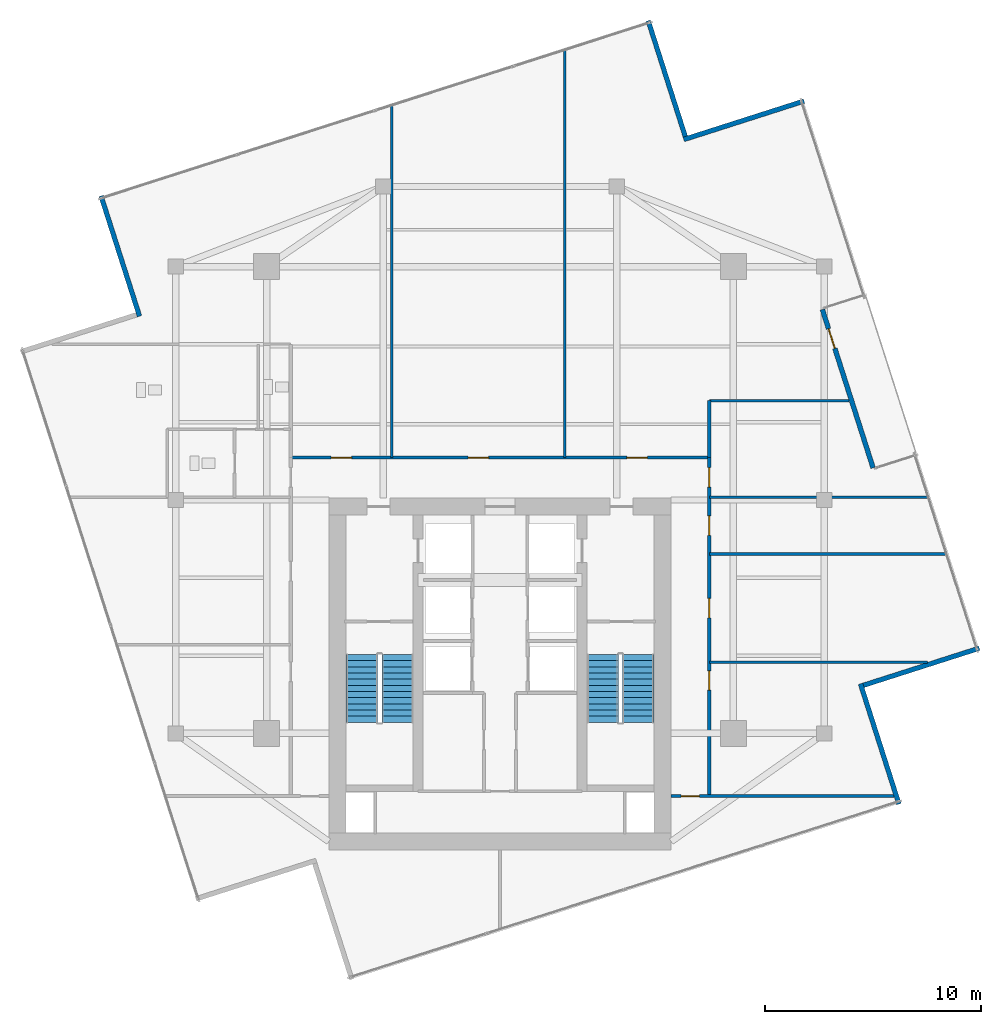
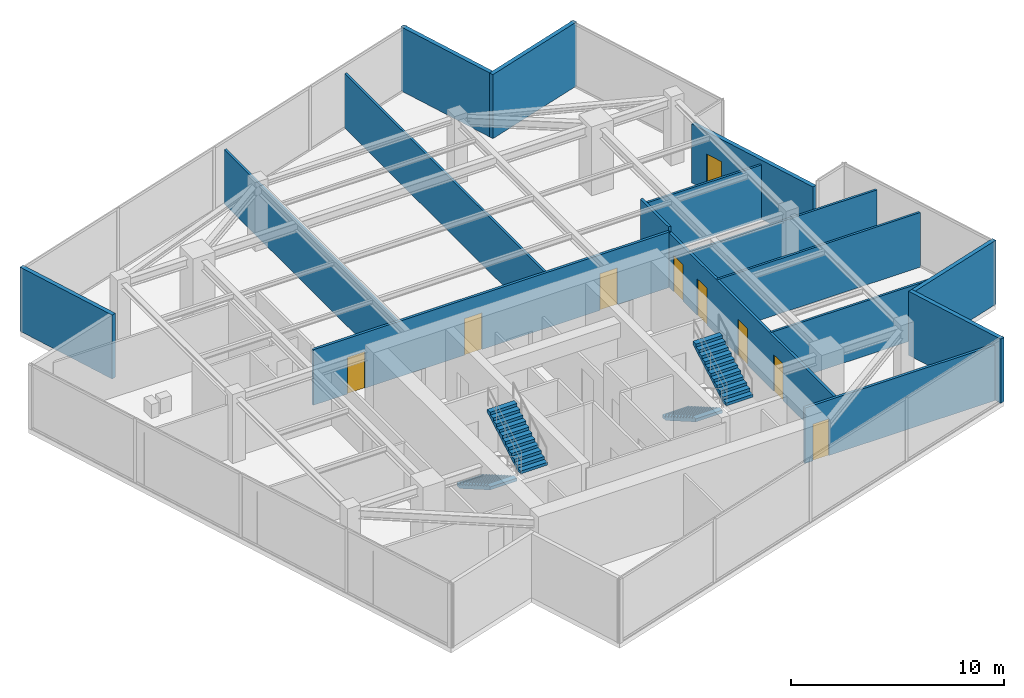
# One storey, part 19 of 21: 16 walls, 9 doors, 4 stair flights, 9 openings, 2 elements without a shape of their own.
"""IFC4 building model written with IfcOpenShell, lengths in metres."""

from ifc_helpers import new_model, si_unit, direction, frame, frame_2d, origin, place, context, subcontext, project, spatial, polyline, rectangle, outline, extrude, material, layer, layer_set, type_object, element, fill, aggregate, save


model = new_model("IFC4")

# Units and contexts
model_context = context("Model", 3, precision=1e-05, world=origin(), true_north=direction((0.0, 1.0)))
body_context = subcontext(model_context, "Body", "Model", "MODEL_VIEW")
ifc_project = project(units=[si_unit("LENGTHUNIT", "METRE"), si_unit("AREAUNIT", "SQUARE_METRE"), si_unit("VOLUMEUNIT", "CUBIC_METRE"), si_unit("PLANEANGLEUNIT", "RADIAN"), si_unit("MASSUNIT", "GRAM", prefix="KILO")], contexts=[model_context])

# Site, building, storey
site_placement = place(None, origin())
site = spatial("IfcSite", under=ifc_project, at=site_placement, CompositionType="ELEMENT")
building_placement = place(site_placement, origin())
building = spatial("IfcBuilding", under=site, at=building_placement, Name="Krantzveldt Concourse Tower", CompositionType="ELEMENT")
storey_placement = place(building_placement, frame((0.0, 0.0, 343.5)))
storey = spatial("IfcBuildingStorey", under=building, at=storey_placement, Name="L84", CompositionType="ELEMENT", Elevation=343.5)

# Walls
ifc_material_1 = material(Name="Anodised aluminium 6063-T6", Category="aluminium")
ifc_layer_1 = layer(ifc_material_1, 0.219970703125, Name="Anodised aluminium 6063-T6", Category="aluminium")
ifc_layer_set_1 = layer_set([ifc_layer_1], Name="Anodised aluminium 6063-T6 (WL-EXT-NOTCH220)")
wall_type_1 = type_object("IfcWallType", Name="WL-EXT-NOTCH220", PredefinedType="ELEMENTEDWALL", material=ifc_layer_set_1)
wall_1_placement = place(storey_placement, frame((44.572265625, 43.513671875, 0.0), z_axis=(0.0, 0.0, 1.0), x_axis=(-0.304903286447, 0.952383318792, 0.0)))
element("IfcWall", 1, at=wall_1_placement, inside=storey, type_object=wall_type_1, Name="EW-L84-NCH00", PredefinedType="ELEMENTEDWALL", context=body_context, shape_type="SweptSolid", body=[
    extrude(rectangle(XDim=5.625, YDim=0.219970703125, at=frame_2d((2.8125, 0.0))), origin(), (0.0, 0.0, 1.0), 3.669921875),
])
for number, where, z_axis, x_axis, name in (
    (2, (17.542724609375, 40.767578125, 0.0), (0.0, 0.0, 1.0), (0.304839382122, -0.952403775248, 0.0), "EW-L84-NCH02"),
    (3, (54.457275390625, 12.63232421875, 0.0), (0.0, 0.0, 1.0), (-0.304839382122, 0.952403775248, 0.0), "EW-L84-NCH08"),
):
    element("IfcWall", number, at=place(storey_placement, frame(where, z_axis=z_axis, x_axis=x_axis)), inside=storey, type_object=wall_type_1, Name=name, PredefinedType="ELEMENTEDWALL", context=body_context, shape_type="SweptSolid", body=[
        extrude(rectangle(XDim=5.8447265625, YDim=0.219970703125, at=frame_2d((2.92236328125, 0.0))), origin(), (0.0, 0.0, 1.0), 3.669921875),
    ])
wall_2_placement = place(storey_placement, frame((52.813720703125, 18.1279296875, 0.0), z_axis=(0.0, 0.0, 1.0), x_axis=(0.952395921602, 0.30486391803, 0.0)))
element("IfcWall", 4, at=wall_2_placement, inside=storey, type_object=wall_type_1, Name="EW-L84-NCH09", PredefinedType="ELEMENTEDWALL", context=body_context, shape_type="SweptSolid", body=[
    extrude(rectangle(XDim=5.625, YDim=0.219970703125, at=frame_2d((2.8125, 0.0))), origin(), (0.0, 0.0, 1.0), 3.669921875),
])

# Wall, opening, door
wall_3_placement = place(storey_placement, frame((50.913818359375, 35.51123046875, 0.0), z_axis=(0.0, 0.0, 1.0), x_axis=(0.304842539612, -0.952402764613, 0.0)))
wall_3 = element("IfcWall", 5, at=wall_3_placement, inside=storey, type_object=wall_type_1, Name="EW-L84-TSLOT", PredefinedType="ELEMENTEDWALL", context=body_context, shape_type="SweptSolid", body=[
    extrude(rectangle(XDim=7.68994140625, YDim=0.219970703125, at=frame_2d((3.844970703125, 0.0))), origin(), (0.0, 0.0, 1.0), 3.3798828125),
])
opening_1_placement = place(wall_3_placement, frame((0.936767578125, 0.0, 0.0)))
opening_1 = element("IfcOpeningElement", 6, at=opening_1_placement, cuts=wall_3, Name="Opening D-EX95", PredefinedType="OPENING", context=body_context, shape_type="SweptSolid", body=[
    extrude(rectangle(XDim=0.949951171875, YDim=2.10009765625, at=frame_2d((0.47509765625, 1.050048828125))), frame((0.0, 0.1201171875, 0.0), z_axis=(0.0, -1.0, 0.0), x_axis=(1.0, 0.0, 0.0)), (0.0, 0.0, 1.0), 0.239990234375),
])
door_type_1 = type_object("IfcDoorType", Name="DR-EXT-950", OperationType="SINGLE_SWING_LEFT", PredefinedType="DOOR", material=ifc_material_1)
door_1_placement = place(opening_1_placement, origin())
door_1 = element("IfcDoor", 7, at=door_1_placement, inside=storey, type_object=door_type_1, Name="DR-L84-TERR", OperationType="SINGLE_SWING_LEFT", OverallHeight=2.10009765625, OverallWidth=0.949951171875, PredefinedType="DOOR", context=body_context, shape_type="SweptSolid", body=[
    extrude(rectangle(XDim=0.949951171875, YDim=2.10009765625, at=frame_2d((0.47509765625, 1.050048828125))), frame((0.0, 0.02490234375, 0.0), z_axis=(0.0, -1.0, 0.0), x_axis=(1.0, 0.0, 0.0)), (0.0, 0.0, 1.0), 0.050048828125),
])
fill(opening_1, door_1)

# Walls
wall_4_placement = place(storey_placement, frame((50.067626953125, 45.157470703125, 0.0), z_axis=(0.0, 0.0, 1.0), x_axis=(-0.952391647481, -0.304877270074, 0.0)))
element("IfcWall", 8, at=wall_4_placement, inside=storey, type_object=wall_type_1, Name="EW-L84-NCH15", PredefinedType="ELEMENTEDWALL", context=body_context, shape_type="SweptSolid", body=[
    extrude(rectangle(XDim=5.844970703125, YDim=0.219970703125, at=frame_2d((2.92236328125, 0.0))), origin(), (0.0, 0.0, 1.0), 3.669921875),
])
ifc_material_2 = material(Name="Fire-rated gypsum plasterboard on steel stud", Category="steel")
ifc_layer_2 = layer(ifc_material_2, 0.1201171875, Name="Fire-rated gypsum plasterboard on steel stud", Category="steel")
ifc_layer_set_2 = layer_set([ifc_layer_2], Name="Fire-rated gypsum plasterboard on steel stud (WL-PART-120)")
wall_type_2 = type_object("IfcWallType", Name="WL-PART-120", PredefinedType="PARTITIONING", material=ifc_layer_set_2)
wall_5_placement = place(storey_placement, frame((45.679931640625, 26.820068359375, 0.0), z_axis=(0.0, 0.0, 1.0), x_axis=(1.0, 0.0, 0.0)))
element("IfcWall", 9, at=wall_5_placement, inside=storey, type_object=wall_type_2, Name="WP-L84-PNTS", PredefinedType="PARTITIONING", context=body_context, shape_type="SweptSolid", body=[
    extrude(rectangle(XDim=10.136962890625, YDim=0.1201171875, at=frame_2d((5.068359375, 0.0))), origin(), (0.0, 0.0, 1.0), 3.1298828125),
])
wall_6_placement = place(storey_placement, frame((45.679931640625, 31.300048828125, 0.0), z_axis=(0.0, 0.0, 1.0), x_axis=(1.0, 0.0, 0.0)))
element("IfcWall", 10, at=wall_6_placement, inside=storey, type_object=wall_type_2, Name="WP-L84-PNTN", PredefinedType="PARTITIONING", context=body_context, shape_type="SweptSolid", body=[
    extrude(rectangle(XDim=6.461181640625, YDim=0.1201171875, at=frame_2d((3.23046875, 0.0))), origin(), (0.0, 0.0, 1.0), 3.1298828125),
])
wall_7_placement = place(storey_placement, frame((31.0, 28.659912109375, 0.0), z_axis=(0.0, 0.0, 1.0), x_axis=(0.0, 1.0, 0.0)))
element("IfcWall", 11, at=wall_7_placement, inside=storey, type_object=wall_type_2, Name="WP-L84-ND1", PredefinedType="PARTITIONING", context=body_context, shape_type="SweptSolid", body=[
    extrude(rectangle(XDim=16.294677734375, YDim=0.1201171875, at=frame_2d((8.1474609375, 0.0))), origin(), (0.0, 0.0, 1.0), 3.1298828125),
])
wall_8_placement = place(storey_placement, frame((39.0, 28.659912109375, 0.0), z_axis=(0.0, 0.0, 1.0), x_axis=(0.0, 1.0, 0.0)))
element("IfcWall", 12, at=wall_8_placement, inside=storey, type_object=wall_type_2, Name="WP-L84-ND2", PredefinedType="PARTITIONING", context=body_context, shape_type="SweptSolid", body=[
    extrude(rectangle(XDim=18.85546875, YDim=0.1201171875, at=frame_2d((9.427734375, 0.0))), origin(), (0.0, 0.0, 1.0), 3.1298828125),
])
wall_9_placement = place(storey_placement, frame((45.679931640625, 19.199951171875, 0.0), z_axis=(0.0, 0.0, 1.0), x_axis=(1.0, 0.0, 0.0)))
element("IfcWall", 13, at=wall_9_placement, inside=storey, type_object=wall_type_2, Name="WP-L84-ED1", PredefinedType="PARTITIONING", context=body_context, shape_type="SweptSolid", body=[
    extrude(rectangle(XDim=10.10595703125, YDim=0.1201171875, at=frame_2d((5.052978515625, 0.0))), origin(), (0.0, 0.0, 1.0), 3.1298828125),
])
wall_10_placement = place(storey_placement, frame((45.679931640625, 24.199951171875, 0.0), z_axis=(0.0, 0.0, 1.0), x_axis=(1.0, 0.0, 0.0)))
element("IfcWall", 14, at=wall_10_placement, inside=storey, type_object=wall_type_2, Name="WP-L84-ED2", PredefinedType="PARTITIONING", context=body_context, shape_type="SweptSolid", body=[
    extrude(rectangle(XDim=10.9755859375, YDim=0.1201171875, at=frame_2d((5.48779296875, 0.0))), origin(), (0.0, 0.0, 1.0), 3.1298828125),
])

# Wall, openings, doors
ifc_layer_3 = layer(ifc_material_2, 0.139892578125, Name="Fire-rated gypsum plasterboard on steel stud", Category="steel")
ifc_layer_set_3 = layer_set([ifc_layer_3], Name="Fire-rated gypsum plasterboard on steel stud (WL-PART-140)")
wall_type_3 = type_object("IfcWallType", Name="WL-PART-140", PredefinedType="PARTITIONING", material=ifc_layer_set_3)
wall_11_placement = place(storey_placement, frame((26.320068359375, 28.659912109375, 0.0), z_axis=(0.0, 0.0, 1.0), x_axis=(1.0, 0.0, 0.0)))
wall_11 = element("IfcWall", 15, at=wall_11_placement, inside=storey, type_object=wall_type_3, Name="WP-L84-CNHDR", PredefinedType="PARTITIONING", context=body_context, shape_type="SweptSolid", body=[
    extrude(rectangle(XDim=19.35986328125, YDim=0.139892578125, at=frame_2d((9.679931640625, 0.0))), origin(), (0.0, 0.0, 1.0), 3.179931640625),
])
opening_2_placement = place(wall_11_placement, frame((1.864990234375, 0.0, 0.0)))
opening_2 = element("IfcOpeningElement", 16, at=opening_2_placement, cuts=wall_11, Name="Opening D-IN095", PredefinedType="OPENING", context=body_context, shape_type="SweptSolid", body=[
    extrude(rectangle(XDim=0.949951171875, YDim=2.10009765625, at=frame_2d((0.47509765625, 1.050048828125))), frame((0.0, 0.080078125, 0.0), z_axis=(0.0, -1.0, 0.0), x_axis=(1.0, 0.0, 0.0)), (0.0, 0.0, 1.0), 0.159912109375),
])
opening_3_placement = place(wall_11_placement, frame((8.205078125, 0.0, 0.0)))
opening_3 = element("IfcOpeningElement", 17, at=opening_3_placement, cuts=wall_11, Name="Opening D-IN095", PredefinedType="OPENING", context=body_context, shape_type="SweptSolid", body=[
    extrude(rectangle(XDim=0.949951171875, YDim=2.10009765625, at=frame_2d((0.47509765625, 1.050048828125))), frame((0.0, 0.080078125, 0.0), z_axis=(0.0, -1.0, 0.0), x_axis=(1.0, 0.0, 0.0)), (0.0, 0.0, 1.0), 0.159912109375),
])
opening_4_placement = place(wall_11_placement, frame((15.544921875, 0.0, 0.0)))
opening_4 = element("IfcOpeningElement", 18, at=opening_4_placement, cuts=wall_11, Name="Opening D-IN095", PredefinedType="OPENING", context=body_context, shape_type="SweptSolid", body=[
    extrude(rectangle(XDim=0.949951171875, YDim=2.10009765625, at=frame_2d((0.47509765625, 1.050048828125))), frame((0.0, 0.080078125, 0.0), z_axis=(0.0, -1.0, 0.0), x_axis=(1.0, 0.0, 0.0)), (0.0, 0.0, 1.0), 0.159912109375),
])
ifc_material_3 = material(Name="Hardwood timber", Category="wood")
door_type_2 = type_object("IfcDoorType", Name="DR-INT-950", OperationType="SINGLE_SWING_LEFT", PredefinedType="DOOR", material=ifc_material_3)
door_2_placement = place(opening_2_placement, origin())
door_2 = element("IfcDoor", 19, at=door_2_placement, inside=storey, type_object=door_type_2, Name="DR-L84-NR1", OperationType="SINGLE_SWING_LEFT", OverallHeight=2.10009765625, OverallWidth=0.949951171875, PredefinedType="DOOR", context=body_context, shape_type="SweptSolid", body=[
    extrude(rectangle(XDim=0.949951171875, YDim=2.10009765625, at=frame_2d((0.47509765625, 1.050048828125))), frame((0.0, 0.02490234375, 0.0), z_axis=(0.0, -1.0, 0.0), x_axis=(1.0, 0.0, 0.0)), (0.0, 0.0, 1.0), 0.050048828125),
])
fill(opening_2, door_2)
door_3_placement = place(opening_3_placement, origin())
door_3 = element("IfcDoor", 20, at=door_3_placement, inside=storey, type_object=door_type_2, Name="DR-L84-NR2", OperationType="SINGLE_SWING_LEFT", OverallHeight=2.10009765625, OverallWidth=0.949951171875, PredefinedType="DOOR", context=body_context, shape_type="SweptSolid", body=[
    extrude(rectangle(XDim=0.949951171875, YDim=2.10009765625, at=frame_2d((0.47509765625, 1.050048828125))), frame((0.0, 0.02490234375, 0.0), z_axis=(0.0, -1.0, 0.0), x_axis=(1.0, 0.0, 0.0)), (0.0, 0.0, 1.0), 0.050048828125),
])
fill(opening_3, door_3)
door_4_placement = place(opening_4_placement, origin())
door_4 = element("IfcDoor", 21, at=door_4_placement, inside=storey, type_object=door_type_2, Name="DR-L84-NR3", OperationType="SINGLE_SWING_LEFT", OverallHeight=2.10009765625, OverallWidth=0.949951171875, PredefinedType="DOOR", context=body_context, shape_type="SweptSolid", body=[
    extrude(rectangle(XDim=0.949951171875, YDim=2.10009765625, at=frame_2d((0.47509765625, 1.050048828125))), frame((0.0, 0.02490234375, 0.0), z_axis=(0.0, -1.0, 0.0), x_axis=(1.0, 0.0, 0.0)), (0.0, 0.0, 1.0), 0.050048828125),
])
fill(opening_4, door_4)

wall_12_placement = place(storey_placement, frame((45.679931640625, 13.0, 0.0), z_axis=(0.0, 0.0, 1.0), x_axis=(0.0, 1.0, 0.0)))
wall_12 = element("IfcWall", 22, at=wall_12_placement, inside=storey, type_object=wall_type_3, Name="WP-L84-CEAST", PredefinedType="PARTITIONING", context=body_context, shape_type="SweptSolid", body=[
    extrude(rectangle(XDim=15.659912109375, YDim=0.139892578125, at=frame_2d((7.830078125, 0.0))), origin(), (0.0, 0.0, 1.0), 3.1298828125),
])
opening_5_placement = place(wall_12_placement, frame((14.300048828125, 0.0, 0.0)))
opening_5 = element("IfcOpeningElement", 23, at=opening_5_placement, cuts=wall_12, Name="Opening D-IN090", PredefinedType="OPENING", context=body_context, shape_type="SweptSolid", body=[
    extrude(rectangle(XDim=0.89990234375, YDim=2.10009765625, at=frame_2d((0.449951171875, 1.050048828125))), frame((0.0, 0.080078125, 0.0), z_axis=(0.0, -1.0, 0.0), x_axis=(1.0, 0.0, 0.0)), (0.0, 0.0, 1.0), 0.159912109375),
])
opening_6_placement = place(wall_12_placement, frame((4.89990234375, 0.0, 0.0)))
opening_6 = element("IfcOpeningElement", 24, at=opening_6_placement, cuts=wall_12, Name="Opening D-IN090", PredefinedType="OPENING", context=body_context, shape_type="SweptSolid", body=[
    extrude(rectangle(XDim=0.89990234375, YDim=2.10009765625, at=frame_2d((0.449951171875, 1.050048828125))), frame((0.0, 0.080078125, 0.0), z_axis=(0.0, -1.0, 0.0), x_axis=(1.0, 0.0, 0.0)), (0.0, 0.0, 1.0), 0.159912109375),
])
opening_7_placement = place(wall_12_placement, frame((8.25, 0.0, 0.0)))
opening_7 = element("IfcOpeningElement", 25, at=opening_7_placement, cuts=wall_12, Name="Opening D-IN090", PredefinedType="OPENING", context=body_context, shape_type="SweptSolid", body=[
    extrude(rectangle(XDim=0.89990234375, YDim=2.10009765625, at=frame_2d((0.449951171875, 1.050048828125))), frame((0.0, 0.080078125, 0.0), z_axis=(0.0, -1.0, 0.0), x_axis=(1.0, 0.0, 0.0)), (0.0, 0.0, 1.0), 0.159912109375),
])
opening_8_placement = place(wall_12_placement, frame((12.06005859375, 0.0, 0.0)))
opening_8 = element("IfcOpeningElement", 26, at=opening_8_placement, cuts=wall_12, Name="Opening D-IN090", PredefinedType="OPENING", context=body_context, shape_type="SweptSolid", body=[
    extrude(rectangle(XDim=0.89990234375, YDim=2.10009765625, at=frame_2d((0.449951171875, 1.050048828125))), frame((0.0, 0.080078125, 0.0), z_axis=(0.0, -1.0, 0.0), x_axis=(1.0, 0.0, 0.0)), (0.0, 0.0, 1.0), 0.159912109375),
])
door_type_3 = type_object("IfcDoorType", Name="DR-INT-900", OperationType="SINGLE_SWING_LEFT", PredefinedType="DOOR", material=ifc_material_3)
door_5_placement = place(opening_5_placement, origin())
door_5 = element("IfcDoor", 27, at=door_5_placement, inside=storey, type_object=door_type_3, Name="DR-L84-PNT", OperationType="SINGLE_SWING_RIGHT", OverallHeight=2.10009765625, OverallWidth=0.89990234375, PredefinedType="DOOR", context=body_context, shape_type="SweptSolid", body=[
    extrude(rectangle(XDim=0.89990234375, YDim=2.10009765625, at=frame_2d((0.449951171875, 1.050048828125))), frame((0.0, 0.02490234375, 0.0), z_axis=(0.0, -1.0, 0.0), x_axis=(1.0, 0.0, 0.0)), (0.0, 0.0, 1.0), 0.050048828125),
])
fill(opening_5, door_5)
door_6_placement = place(opening_6_placement, origin())
door_6 = element("IfcDoor", 28, at=door_6_placement, inside=storey, type_object=door_type_3, Name="DR-L84-ER1", OperationType="SINGLE_SWING_LEFT", OverallHeight=2.10009765625, OverallWidth=0.89990234375, PredefinedType="DOOR", context=body_context, shape_type="SweptSolid", body=[
    extrude(rectangle(XDim=0.89990234375, YDim=2.10009765625, at=frame_2d((0.449951171875, 1.050048828125))), frame((0.0, 0.02490234375, 0.0), z_axis=(0.0, -1.0, 0.0), x_axis=(1.0, 0.0, 0.0)), (0.0, 0.0, 1.0), 0.050048828125),
])
fill(opening_6, door_6)
door_7_placement = place(opening_7_placement, origin())
door_7 = element("IfcDoor", 29, at=door_7_placement, inside=storey, type_object=door_type_3, Name="DR-L84-ER2", OperationType="SINGLE_SWING_LEFT", OverallHeight=2.10009765625, OverallWidth=0.89990234375, PredefinedType="DOOR", context=body_context, shape_type="SweptSolid", body=[
    extrude(rectangle(XDim=0.89990234375, YDim=2.10009765625, at=frame_2d((0.449951171875, 1.050048828125))), frame((0.0, 0.02490234375, 0.0), z_axis=(0.0, -1.0, 0.0), x_axis=(1.0, 0.0, 0.0)), (0.0, 0.0, 1.0), 0.050048828125),
])
fill(opening_7, door_7)
door_8_placement = place(opening_8_placement, origin())
door_8 = element("IfcDoor", 30, at=door_8_placement, inside=storey, type_object=door_type_3, Name="DR-L84-ER3", OperationType="SINGLE_SWING_LEFT", OverallHeight=2.10009765625, OverallWidth=0.89990234375, PredefinedType="DOOR", context=body_context, shape_type="SweptSolid", body=[
    extrude(rectangle(XDim=0.89990234375, YDim=2.10009765625, at=frame_2d((0.449951171875, 1.050048828125))), frame((0.0, 0.02490234375, 0.0), z_axis=(0.0, -1.0, 0.0), x_axis=(1.0, 0.0, 0.0)), (0.0, 0.0, 1.0), 0.050048828125),
])
fill(opening_8, door_8)

# Wall, opening, door
wall_13_placement = place(storey_placement, frame((43.919921875, 13.0, 0.0), z_axis=(0.0, 0.0, 1.0), x_axis=(1.0, 0.0, 0.0)))
wall_13 = element("IfcWall", 31, at=wall_13_placement, inside=storey, type_object=wall_type_3, Name="WP-L84-CSBOTE", PredefinedType="PARTITIONING", context=body_context, shape_type="SweptSolid", body=[
    extrude(rectangle(XDim=10.299072265625, YDim=0.139892578125, at=frame_2d((5.1494140625, 0.0))), origin(), (0.0, 0.0, 1.0), 3.179931640625),
])
opening_9_placement = place(wall_13_placement, frame((0.455078125, 0.0, 0.0)))
opening_9 = element("IfcOpeningElement", 32, at=opening_9_placement, cuts=wall_13, Name="Opening D-IN085", PredefinedType="OPENING", context=body_context, shape_type="SweptSolid", body=[
    extrude(rectangle(XDim=0.85009765625, YDim=2.10009765625, at=frame_2d((0.425048828125, 1.050048828125))), frame((0.0, 0.080078125, 0.0), z_axis=(0.0, -1.0, 0.0), x_axis=(1.0, 0.0, 0.0)), (0.0, 0.0, 1.0), 0.159912109375),
])
door_type_4 = type_object("IfcDoorType", Name="DR-INT-850", OperationType="SINGLE_SWING_LEFT", PredefinedType="DOOR", material=ifc_material_3)
door_9_placement = place(opening_9_placement, origin())
door_9 = element("IfcDoor", 33, at=door_9_placement, inside=storey, type_object=door_type_4, Name="DR-L84-SR2", OperationType="SINGLE_SWING_LEFT", OverallHeight=2.10009765625, OverallWidth=0.85009765625, PredefinedType="DOOR", context=body_context, shape_type="SweptSolid", body=[
    extrude(rectangle(XDim=0.85009765625, YDim=2.10009765625, at=frame_2d((0.425048828125, 1.050048828125))), frame((0.0, 0.02490234375, 0.0), z_axis=(0.0, -1.0, 0.0), x_axis=(1.0, 0.0, 0.0)), (0.0, 0.0, 1.0), 0.050048828125),
])
fill(opening_9, door_9)

# Wall
wall_14_placement = place(storey_placement, frame((45.679931640625, 28.659912109375, 0.0), z_axis=(0.0, 0.0, 1.0), x_axis=(0.0, 1.0, 0.0)))
element("IfcWall", 34, at=wall_14_placement, inside=storey, type_object=wall_type_3, Name="WP-L84-NER", PredefinedType="PARTITIONING", context=body_context, shape_type="SweptSolid", body=[
    extrude(rectangle(XDim=2.64013671875, YDim=0.139892578125, at=frame_2d((1.320068359375, 0.0))), origin(), (0.0, 0.0, 1.0), 3.429931640625),
])

# Stair, stair flights
ifc_material_4 = material(Name="Precast concrete C40/50", Category="concrete")
stair_type = type_object("IfcStairType", Name="STR-CORE-DOGLEG", PredefinedType="HALF_TURN_STAIR", material=ifc_material_4)
stair_1_placement = place(storey_placement, origin())
stair_1 = element("IfcStair", 35, at=stair_1_placement, inside=storey, type_object=stair_type, Name="L84 Protected Escape Stair ST-1", PredefinedType="HALF_TURN_STAIR")
stair_flight_type = type_object("IfcStairFlightType", Name="STF-CORE-1450", PredefinedType="STRAIGHT", material=ifc_material_4)
stair_flight_1_placement = place(storey_placement, frame((29.60498046875, 19.550048828125, 0.0), z_axis=(0.0, 0.0, 1.0), x_axis=(0.0, -1.0, 0.0)))
stair_flight_1 = element("IfcStairFlight", 36, at=stair_flight_1_placement, type_object=stair_flight_type, Name="ST-1 flight 1", NumberOfRisers=12, NumberOfTreads=11, PredefinedType="STRAIGHT", RiserHeight=0.164583333, TreadLength=0.285, context=body_context, shape_type="SweptSolid", body=[
    extrude(outline(polyline([(0.0, 0.0), (0.0, 0.16455078125), (0.284912109375, 0.16455078125), (0.284912109375, 0.3291015625), (0.570068359375, 0.3291015625), (0.570068359375, 0.49365234375), (0.85498046875, 0.49365234375), (0.85498046875, 0.658447265625), (1.139892578125, 0.658447265625), (1.139892578125, 0.822998046875), (1.425048828125, 0.822998046875), (1.425048828125, 0.987548828125), (1.7099609375, 0.987548828125), (1.7099609375, 1.152099609375), (1.9951171875, 1.152099609375), (1.9951171875, 1.316650390625), (2.280029296875, 1.316650390625), (2.280029296875, 1.481201171875), (2.56494140625, 1.481201171875), (2.56494140625, 1.645751953125), (2.85009765625, 1.645751953125), (2.85009765625, 1.810302734375), (3.135009765625, 1.810302734375), (3.135009765625, 1.97509765625), (3.135009765625, 1.63720703125), (0.2998046875, 0.0), (0.0, 0.0)])), frame((0.0, 0.72509765625, 0.0), z_axis=(0.0, -1.0, 0.0), x_axis=(1.0, 0.0, 0.0)), (0.0, 0.0, 1.0), 1.449951171875),
])
stair_flight_2_placement = place(storey_placement, frame((31.2548828125, 16.4150390625, 1.97509765625), z_axis=(0.0, 0.0, 1.0), x_axis=(0.0, 1.0, 0.0)))
stair_flight_2 = element("IfcStairFlight", 37, at=stair_flight_2_placement, type_object=stair_flight_type, Name="ST-1 flight 2", NumberOfRisers=12, NumberOfTreads=11, PredefinedType="STRAIGHT", RiserHeight=0.164583333, TreadLength=0.285, context=body_context, shape_type="SweptSolid", body=[
    extrude(outline(polyline([(0.0, 0.0), (0.0, 0.16455078125), (0.284912109375, 0.16455078125), (0.284912109375, 0.3291015625), (0.570068359375, 0.3291015625), (0.570068359375, 0.49365234375), (0.85498046875, 0.49365234375), (0.85498046875, 0.658447265625), (1.139892578125, 0.658447265625), (1.139892578125, 0.822998046875), (1.425048828125, 0.822998046875), (1.425048828125, 0.987548828125), (1.7099609375, 0.987548828125), (1.7099609375, 1.152099609375), (1.9951171875, 1.152099609375), (1.9951171875, 1.316650390625), (2.280029296875, 1.316650390625), (2.280029296875, 1.481201171875), (2.56494140625, 1.481201171875), (2.56494140625, 1.645751953125), (2.85009765625, 1.645751953125), (2.85009765625, 1.810302734375), (3.135009765625, 1.810302734375), (3.135009765625, 1.97509765625), (3.135009765625, 1.63720703125), (0.2998046875, 0.0), (0.0, 0.0)])), frame((0.0, 0.72509765625, 0.0), z_axis=(0.0, -1.0, 0.0), x_axis=(1.0, 0.0, 0.0)), (0.0, 0.0, 1.0), 1.449951171875),
])
aggregate(stair_1, [stair_flight_1, stair_flight_2])

stair_2_placement = place(storey_placement, origin())
stair_2 = element("IfcStair", 38, at=stair_2_placement, inside=storey, type_object=stair_type, Name="L84 Protected Escape Stair ST-2", PredefinedType="HALF_TURN_STAIR")
stair_flight_3_placement = place(storey_placement, frame((40.7451171875, 19.550048828125, 0.0), z_axis=(0.0, 0.0, 1.0), x_axis=(0.0, -1.0, 0.0)))
stair_flight_3 = element("IfcStairFlight", 39, at=stair_flight_3_placement, type_object=stair_flight_type, Name="ST-2 flight 1", NumberOfRisers=12, NumberOfTreads=11, PredefinedType="STRAIGHT", RiserHeight=0.164583333, TreadLength=0.285, context=body_context, shape_type="SweptSolid", body=[
    extrude(outline(polyline([(0.0, 0.0), (0.0, 0.16455078125), (0.284912109375, 0.16455078125), (0.284912109375, 0.3291015625), (0.570068359375, 0.3291015625), (0.570068359375, 0.49365234375), (0.85498046875, 0.49365234375), (0.85498046875, 0.658447265625), (1.139892578125, 0.658447265625), (1.139892578125, 0.822998046875), (1.425048828125, 0.822998046875), (1.425048828125, 0.987548828125), (1.7099609375, 0.987548828125), (1.7099609375, 1.152099609375), (1.9951171875, 1.152099609375), (1.9951171875, 1.316650390625), (2.280029296875, 1.316650390625), (2.280029296875, 1.481201171875), (2.56494140625, 1.481201171875), (2.56494140625, 1.645751953125), (2.85009765625, 1.645751953125), (2.85009765625, 1.810302734375), (3.135009765625, 1.810302734375), (3.135009765625, 1.97509765625), (3.135009765625, 1.63720703125), (0.2998046875, 0.0), (0.0, 0.0)])), frame((0.0, 0.72509765625, 0.0), z_axis=(0.0, -1.0, 0.0), x_axis=(1.0, 0.0, 0.0)), (0.0, 0.0, 1.0), 1.449951171875),
])
stair_flight_4_placement = place(storey_placement, frame((42.39501953125, 16.4150390625, 1.97509765625), z_axis=(0.0, 0.0, 1.0), x_axis=(0.0, 1.0, 0.0)))
stair_flight_4 = element("IfcStairFlight", 40, at=stair_flight_4_placement, type_object=stair_flight_type, Name="ST-2 flight 2", NumberOfRisers=12, NumberOfTreads=11, PredefinedType="STRAIGHT", RiserHeight=0.164583333, TreadLength=0.285, context=body_context, shape_type="SweptSolid", body=[
    extrude(outline(polyline([(0.0, 0.0), (0.0, 0.16455078125), (0.284912109375, 0.16455078125), (0.284912109375, 0.3291015625), (0.570068359375, 0.3291015625), (0.570068359375, 0.49365234375), (0.85498046875, 0.49365234375), (0.85498046875, 0.658447265625), (1.139892578125, 0.658447265625), (1.139892578125, 0.822998046875), (1.425048828125, 0.822998046875), (1.425048828125, 0.987548828125), (1.7099609375, 0.987548828125), (1.7099609375, 1.152099609375), (1.9951171875, 1.152099609375), (1.9951171875, 1.316650390625), (2.280029296875, 1.316650390625), (2.280029296875, 1.481201171875), (2.56494140625, 1.481201171875), (2.56494140625, 1.645751953125), (2.85009765625, 1.645751953125), (2.85009765625, 1.810302734375), (3.135009765625, 1.810302734375), (3.135009765625, 1.97509765625), (3.135009765625, 1.63720703125), (0.2998046875, 0.0), (0.0, 0.0)])), frame((0.0, 0.72509765625, 0.0), z_axis=(0.0, -1.0, 0.0), x_axis=(1.0, 0.0, 0.0)), (0.0, 0.0, 1.0), 1.449951171875),
])
aggregate(stair_2, [stair_flight_3, stair_flight_4])

save(model, "model.ifc")
